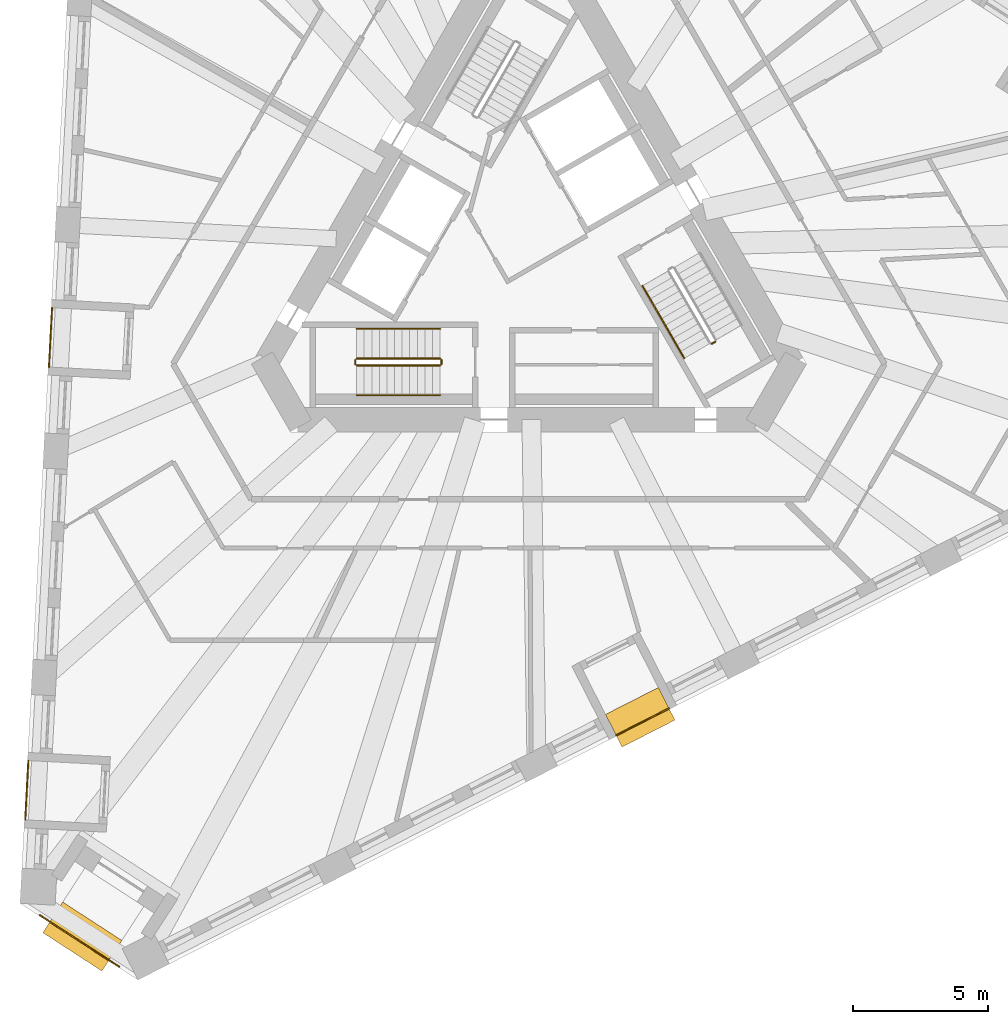
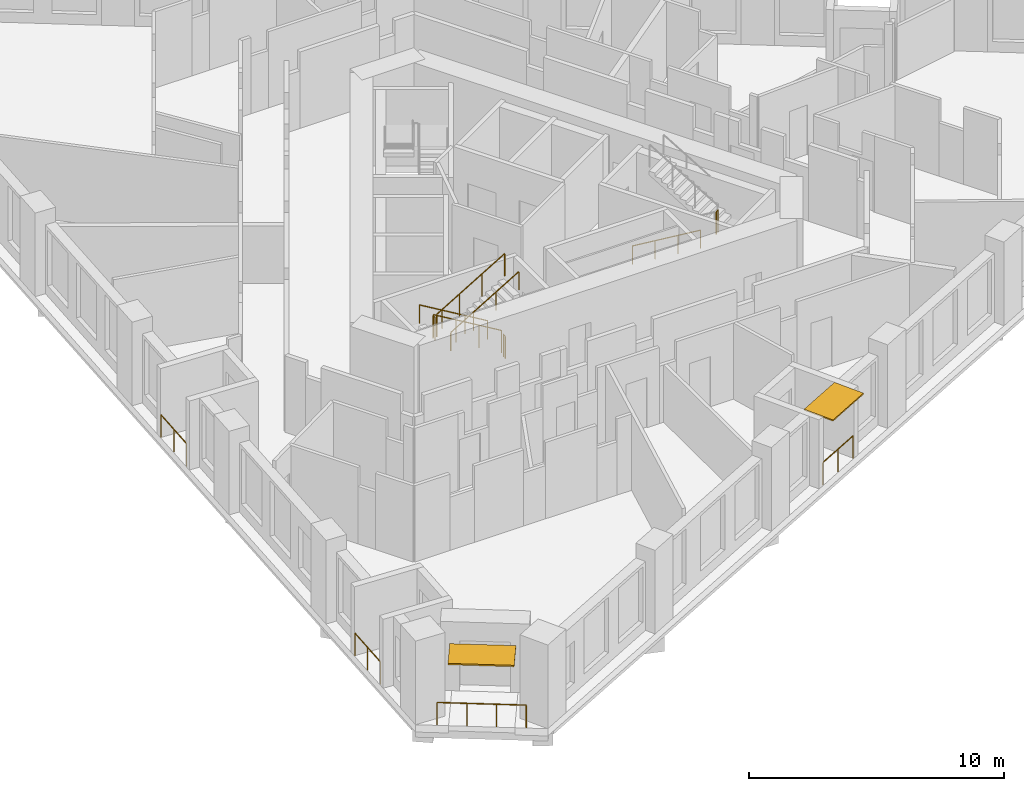
# One storey, part 10 of 13: 12 railings, 2 shading devices.
"""IFC4 building model written with IfcOpenShell, lengths in metres."""

from ifc_helpers import new_model, si_unit, direction, frame, origin, origin_2d, place, context, subcontext, project, spatial, rectangle, circle, extrude, material, layer, layer_set, type_object, element, save


model = new_model("IFC4")

# Units and contexts
model_context = context("Model", 3, precision=1e-05, world=origin(), true_north=direction((0.0, 1.0)))
body_context = subcontext(model_context, "Body", "Model", "MODEL_VIEW")
ifc_project = project(units=[si_unit("LENGTHUNIT", "METRE"), si_unit("AREAUNIT", "SQUARE_METRE"), si_unit("VOLUMEUNIT", "CUBIC_METRE"), si_unit("PLANEANGLEUNIT", "RADIAN"), si_unit("MASSUNIT", "GRAM", prefix="KILO")], contexts=[model_context])

# Site, building, storey
site_placement = place(None, origin())
site = spatial("IfcSite", under=ifc_project, at=site_placement, CompositionType="ELEMENT")
building_placement = place(site_placement, origin())
building = spatial("IfcBuilding", under=site, at=building_placement, Name="Tramontana Tower", CompositionType="ELEMENT")
storey_placement = place(building_placement, frame((0.0, 0.0, 153.60009765625)))
storey = spatial("IfcBuildingStorey", under=building, at=storey_placement, Name="L35", CompositionType="ELEMENT", Elevation=153.60009765625)

# Railings
ifc_material_1 = material(Name="Laminated glass balustrade", Category="glass")
railing_type_1 = type_object("IfcRailingType", Name="GD1 Loggia glass balustrade 1100", PredefinedType="BALUSTRADE", material=ifc_material_1)
for number, where, name in (
    (1, (-17.60791015625, -2.171875, 0.0), "Loggia balustrade L35 G3S0.10"),
    (2, (-18.484130859375, -18.89208984375, 0.0), "Loggia balustrade L35 G3S0.16"),
):
    element("IfcRailing", number, at=place(storey_placement, frame(where)), inside=storey, type_object=railing_type_1, Name=name, PredefinedType="BALUSTRADE", context=body_context, shape_type="SweptSolid", body=[
        extrude(circle(Radius=0.02392578125, at=origin_2d()), frame((0.0, 0.0, 1.076171875), z_axis=(-0.052266372167, -0.998633179071, 0.0), x_axis=(0.998633179071, -0.052266372167, 0.0)), (0.0, 0.0, 1.0), 2.190673828125),
        extrude(circle(Radius=0.02099609375, at=origin_2d()), origin(), (0.0, 0.0, 1.0), 1.052001953125),
        extrude(circle(Radius=0.02099609375, at=origin_2d()), frame((-0.05712890625, -1.09375, 0.0)), (0.0, 0.0, 1.0), 1.052001953125),
        extrude(circle(Radius=0.02099609375, at=origin_2d()), frame((-0.114501953125, -2.187744140625, 0.0)), (0.0, 0.0, 1.0), 1.052001953125),
    ])
railing_1_placement = place(storey_placement, frame((3.225830078125, -17.96337890625, 0.0)))
element("IfcRailing", 3, at=railing_1_placement, inside=storey, type_object=railing_type_1, Name="Loggia balustrade L35 G3S1.7", PredefinedType="BALUSTRADE", context=body_context, shape_type="SweptSolid", body=[
    extrude(circle(Radius=0.02392578125, at=origin_2d()), frame((0.0, 0.0, 1.076171875), z_axis=(0.891013126725, 0.4539775413, 0.0), x_axis=(-0.4539775413, 0.891013126725, 0.0)), (0.0, 0.0, 1.0), 2.1904296875),
    extrude(circle(Radius=0.02099609375, at=origin_2d()), origin(), (0.0, 0.0, 1.0), 1.052001953125),
    extrude(circle(Radius=0.02099609375, at=origin_2d()), frame((0.975830078125, 0.4970703125, 0.0)), (0.0, 0.0, 1.0), 1.052001953125),
    extrude(circle(Radius=0.02099609375, at=origin_2d()), frame((1.95166015625, 0.994384765625, 0.0)), (0.0, 0.0, 1.0), 1.052001953125),
])
railing_2_placement = place(storey_placement, frame((-15.12744140625, -26.50732421875, 0.0)))
element("IfcRailing", 4, at=railing_2_placement, inside=storey, type_object=railing_type_1, Name="Corner loggia balustrade L35 K31", PredefinedType="BALUSTRADE", context=body_context, shape_type="SweptSolid", body=[
    extrude(circle(Radius=0.02392578125, at=origin_2d()), frame((0.0, 0.0, 1.076171875), z_axis=(-0.838665071449, 0.544647498784, 0.0), x_axis=(-0.544647498784, -0.838665071449, 0.0)), (0.0, 0.0, 1.0), 3.5),
    extrude(circle(Radius=0.02099609375, at=origin_2d()), origin(), (0.0, 0.0, 1.0), 1.052001953125),
    extrude(circle(Radius=0.02099609375, at=origin_2d()), frame((-0.978515625, 0.635498046875, 0.0)), (0.0, 0.0, 1.0), 1.052001953125),
    extrude(circle(Radius=0.02099609375, at=origin_2d()), frame((-1.956787109375, 1.270751953125, 0.0)), (0.0, 0.0, 1.0), 1.052001953125),
    extrude(circle(Radius=0.02099609375, at=origin_2d()), frame((-2.935302734375, 1.90625, 0.0)), (0.0, 0.0, 1.0), 1.052001953125),
])

# Shading devices
ifc_material_2 = material(Name="Precast concrete 60 MPa", Category="concrete")
ifc_layer_1 = layer(ifc_material_2, 0.06005859375)
ifc_layer_set_1 = layer_set([ifc_layer_1], Name="SS1 Stone sunshade blade 60")
shading_device_type_1 = type_object("IfcShadingDeviceType", Name="SS1 Stone sunshade blade 60", PredefinedType="USERDEFINED", material=ifc_layer_set_1)
shading_device_1_placement = place(storey_placement, frame((4.113037109375, -17.29248046875, 3.239990234375), z_axis=(0.0, 0.0, 1.0), x_axis=(0.891006524188, 0.45399049974, 0.0)))
element("IfcShadingDevice", 5, at=shading_device_1_placement, inside=storey, type_object=shading_device_type_1, Name="Sunshade L35 G3S1.7", ObjectType="SUNSHADE", PredefinedType="USERDEFINED", context=body_context, shape_type="SweptSolid", body=[
    extrude(rectangle(XDim=2.1904296875, YDim=1.35009765625, at=origin_2d()), origin(), (0.0, 0.0, 1.0), 0.06005859375),
])
ifc_material_3 = material(Name="Precast concrete 60 MPa", Category="concrete")
ifc_layer_2 = layer(ifc_material_3, 0.070068359375)
ifc_layer_set_2 = layer_set([ifc_layer_2], Name="SS2 Stone sunshade blade 70")
shading_device_type_2 = type_object("IfcShadingDeviceType", Name="SS2 Stone sunshade blade 70", PredefinedType="USERDEFINED", material=ifc_layer_set_2)
shading_device_2_placement = place(storey_placement, frame((-16.489013671875, -25.390869140625, 3.22998046875), z_axis=(0.0, 0.0, 1.0), x_axis=(-0.838670567945, 0.544639035015, 0.0)))
element("IfcShadingDevice", 6, at=shading_device_2_placement, inside=storey, type_object=shading_device_type_2, Name="Corner sunshade L35 K31", ObjectType="SUNSHADE", PredefinedType="USERDEFINED", context=body_context, shape_type="SweptSolid", body=[
    extrude(rectangle(XDim=2.60009765625, YDim=1.35009765625, at=origin_2d()), origin(), (0.0, 0.0, 1.0), 0.070068359375),
])

# Railings
ifc_material_4 = material(Name="Painted steel", Category="steel")
railing_type_2 = type_object("IfcRailingType", Name="STAIR GUARD 1100", PredefinedType="GUARDRAIL", material=ifc_material_4)
railing_3_placement = place(storey_placement, frame((-3.280029296875, -4.050048828125, 0.16650390625)))
element("IfcRailing", 7, at=railing_3_placement, inside=storey, type_object=railing_type_2, Name="L35 ST2 stair guard 1", PredefinedType="GUARDRAIL", context=body_context, shape_type="SweptSolid", body=[
    extrude(circle(Radius=0.02392578125, at=origin_2d()), frame((0.0, 0.0, 1.076171875), z_axis=(-0.85927862911, 0.0, 0.511507807912), x_axis=(0.0, -1.0, 0.0)), (0.0, 0.0, 1.0), 3.58447265625),
    extrude(circle(Radius=0.02099609375, at=origin_2d()), origin(), (0.0, 0.0, 1.0), 1.052001953125),
    extrude(circle(Radius=0.02099609375, at=origin_2d()), frame((-1.026611328125, 0.0, 0.611083984375)), (0.0, 0.0, 1.0), 1.052001953125),
    extrude(circle(Radius=0.02099609375, at=origin_2d()), frame((-2.053466796875, 0.0, 1.222412109375)), (0.0, 0.0, 1.0), 1.052001953125),
    extrude(circle(Radius=0.02099609375, at=origin_2d()), frame((-3.080078125, 0.0, 1.83349609375)), (0.0, 0.0, 1.0), 1.052001953125),
])
railing_4_placement = place(storey_placement, frame((-6.360107421875, -4.300048828125, 2.16650390625)))
element("IfcRailing", 8, at=railing_4_placement, inside=storey, type_object=railing_type_2, Name="L35 ST2 stair guard 2", PredefinedType="GUARDRAIL", context=body_context, shape_type="SweptSolid", body=[
    extrude(circle(Radius=0.02392578125, at=origin_2d()), frame((0.0, 0.0, 1.076171875), z_axis=(0.85927862911, 0.0, 0.511507807912), x_axis=(0.0, 1.0, 0.0)), (0.0, 0.0, 1.0), 3.58447265625),
    extrude(circle(Radius=0.02099609375, at=origin_2d()), origin(), (0.0, 0.0, 1.0), 1.052001953125),
    extrude(circle(Radius=0.02099609375, at=origin_2d()), frame((1.026611328125, 0.0, 0.611083984375)), (0.0, 0.0, 1.0), 1.052001953125),
    extrude(circle(Radius=0.02099609375, at=origin_2d()), frame((2.053466796875, 0.0, 1.222412109375)), (0.0, 0.0, 1.0), 1.052001953125),
    extrude(circle(Radius=0.02099609375, at=origin_2d()), frame((3.080078125, 0.0, 1.83349609375)), (0.0, 0.0, 1.0), 1.052001953125),
])
for number, where, name in (
    (9, (-6.409912109375, -4.10009765625, 2.0), "L35 ST2 stair guard 3"),
    (10, (-3.22998046875, -4.10009765625, 0.0), "L35 ST2 stair guard 4"),
):
    element("IfcRailing", number, at=place(storey_placement, frame(where)), inside=storey, type_object=railing_type_2, Name=name, PredefinedType="GUARDRAIL", context=body_context, shape_type="SweptSolid", body=[
        extrude(circle(Radius=0.02392578125, at=origin_2d()), frame((0.0, 0.0, 1.076171875), z_axis=(0.0, -1.0, 0.0), x_axis=(1.0, 0.0, 0.0)), (0.0, 0.0, 1.0), 0.14990234375),
        extrude(circle(Radius=0.02099609375, at=origin_2d()), origin(), (0.0, 0.0, 1.0), 1.052001953125),
        extrude(circle(Radius=0.02099609375, at=origin_2d()), frame((0.0, -0.14990234375, 0.0)), (0.0, 0.0, 1.0), 1.052001953125),
    ])
railing_5_placement = place(storey_placement, frame((6.755615234375, -3.501220703125, 2.0)))
element("IfcRailing", 11, at=railing_5_placement, inside=storey, type_object=railing_type_2, Name="L35 ST3 stair guard 3", PredefinedType="GUARDRAIL", context=body_context, shape_type="SweptSolid", body=[
    extrude(circle(Radius=0.02392578125, at=origin_2d()), frame((0.0, 0.0, 1.076171875), z_axis=(0.866131372301, 0.499816412211, 0.0), x_axis=(-0.499816412211, 0.866131372301, 0.0)), (0.0, 0.0, 1.0), 0.14990234375),
    extrude(circle(Radius=0.02099609375, at=origin_2d()), origin(), (0.0, 0.0, 1.0), 1.052001953125),
    extrude(circle(Radius=0.02099609375, at=origin_2d()), frame((0.1298828125, 0.074951171875, 0.0)), (0.0, 0.0, 1.0), 1.052001953125),
])
ifc_material_5 = material(Name="Painted steel", Category="steel")
railing_type_3 = type_object("IfcRailingType", Name="STAIR HANDRAIL 900", PredefinedType="HANDRAIL", material=ifc_material_5)
railing_6_placement = place(storey_placement, frame((-3.280029296875, -2.949951171875, 0.16650390625)))
element("IfcRailing", 12, at=railing_6_placement, inside=storey, type_object=railing_type_3, Name="L35 ST2 stair handrail 1", PredefinedType="HANDRAIL", context=body_context, shape_type="SweptSolid", body=[
    extrude(circle(Radius=0.02392578125, at=origin_2d()), frame((0.0, 0.0, 0.8759765625), z_axis=(-0.85927862911, 0.0, 0.511507807912), x_axis=(0.0, -1.0, 0.0)), (0.0, 0.0, 1.0), 3.58447265625),
    extrude(circle(Radius=0.02099609375, at=origin_2d()), origin(), (0.0, 0.0, 1.0), 0.851806640625),
    extrude(circle(Radius=0.02099609375, at=origin_2d()), frame((-1.026611328125, 0.0, 0.611083984375)), (0.0, 0.0, 1.0), 0.851806640625),
    extrude(circle(Radius=0.02099609375, at=origin_2d()), frame((-2.053466796875, 0.0, 1.222412109375)), (0.0, 0.0, 1.0), 0.851806640625),
    extrude(circle(Radius=0.02099609375, at=origin_2d()), frame((-3.080078125, 0.0, 1.83349609375)), (0.0, 0.0, 1.0), 0.851806640625),
])
railing_7_placement = place(storey_placement, frame((-6.360107421875, -5.39990234375, 2.16650390625)))
element("IfcRailing", 13, at=railing_7_placement, inside=storey, type_object=railing_type_3, Name="L35 ST2 stair handrail 2", PredefinedType="HANDRAIL", context=body_context, shape_type="SweptSolid", body=[
    extrude(circle(Radius=0.02392578125, at=origin_2d()), frame((0.0, 0.0, 0.8759765625), z_axis=(0.85927862911, 0.0, 0.511507807912), x_axis=(0.0, 1.0, 0.0)), (0.0, 0.0, 1.0), 3.58447265625),
    extrude(circle(Radius=0.02099609375, at=origin_2d()), origin(), (0.0, 0.0, 1.0), 0.851806640625),
    extrude(circle(Radius=0.02099609375, at=origin_2d()), frame((1.026611328125, 0.0, 0.611083984375)), (0.0, 0.0, 1.0), 0.851806640625),
    extrude(circle(Radius=0.02099609375, at=origin_2d()), frame((2.053466796875, 0.0, 1.222412109375)), (0.0, 0.0, 1.0), 0.851806640625),
    extrude(circle(Radius=0.02099609375, at=origin_2d()), frame((3.080078125, 0.0, 1.83349609375)), (0.0, 0.0, 1.0), 0.851806640625),
])
railing_8_placement = place(storey_placement, frame((4.19482421875, -1.365478515625, 0.16650390625)))
element("IfcRailing", 14, at=railing_8_placement, inside=storey, type_object=railing_type_3, Name="L35 ST3 stair handrail 1", PredefinedType="HANDRAIL", context=body_context, shape_type="SweptSolid", body=[
    extrude(circle(Radius=0.02392578125, at=origin_2d()), frame((0.0, 0.0, 0.8759765625), z_axis=(0.429634447492, -0.7441639146, 0.511502013422), x_axis=(0.866029832698, 0.499992328818, 0.0)), (0.0, 0.0, 1.0), 3.58447265625),
    extrude(circle(Radius=0.02099609375, at=origin_2d()), origin(), (0.0, 0.0, 1.0), 0.851806640625),
    extrude(circle(Radius=0.02099609375, at=origin_2d()), frame((0.513427734375, -0.88916015625, 0.611083984375)), (0.0, 0.0, 1.0), 0.851806640625),
    extrude(circle(Radius=0.02099609375, at=origin_2d()), frame((1.026611328125, -1.7783203125, 1.222412109375)), (0.0, 0.0, 1.0), 0.851806640625),
    extrude(circle(Radius=0.02099609375, at=origin_2d()), frame((1.5400390625, -2.66748046875, 1.83349609375)), (0.0, 0.0, 1.0), 0.851806640625),
])

save(model, "model.ifc")
